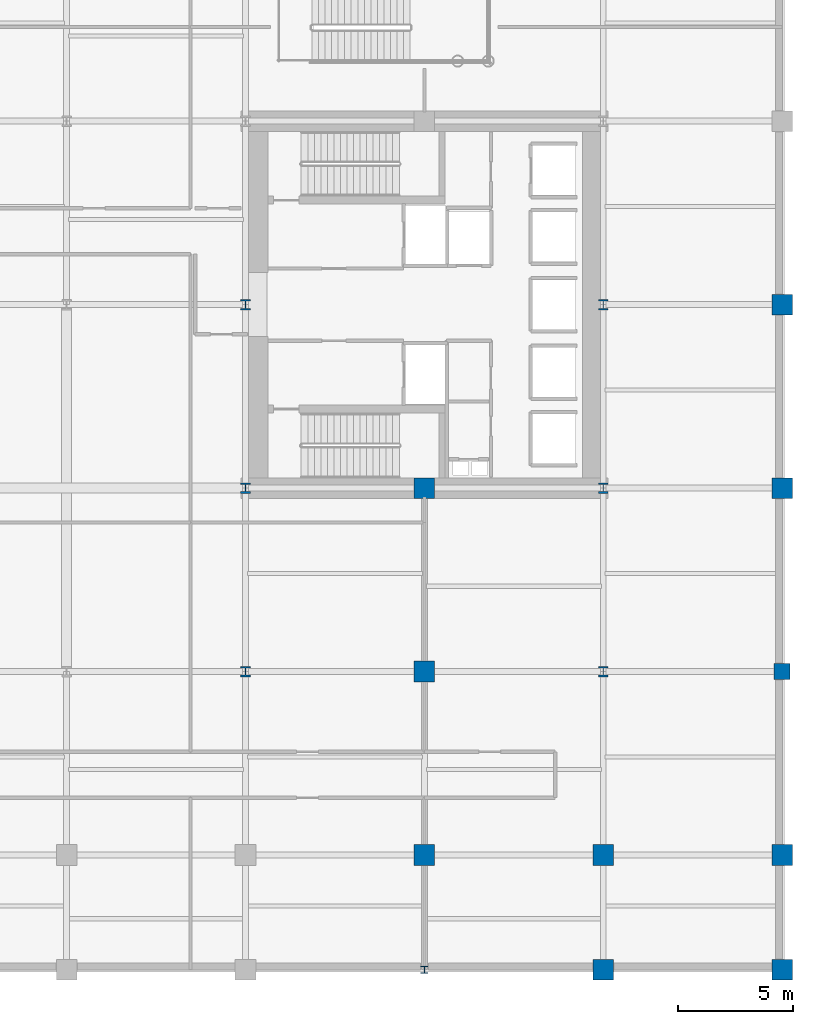
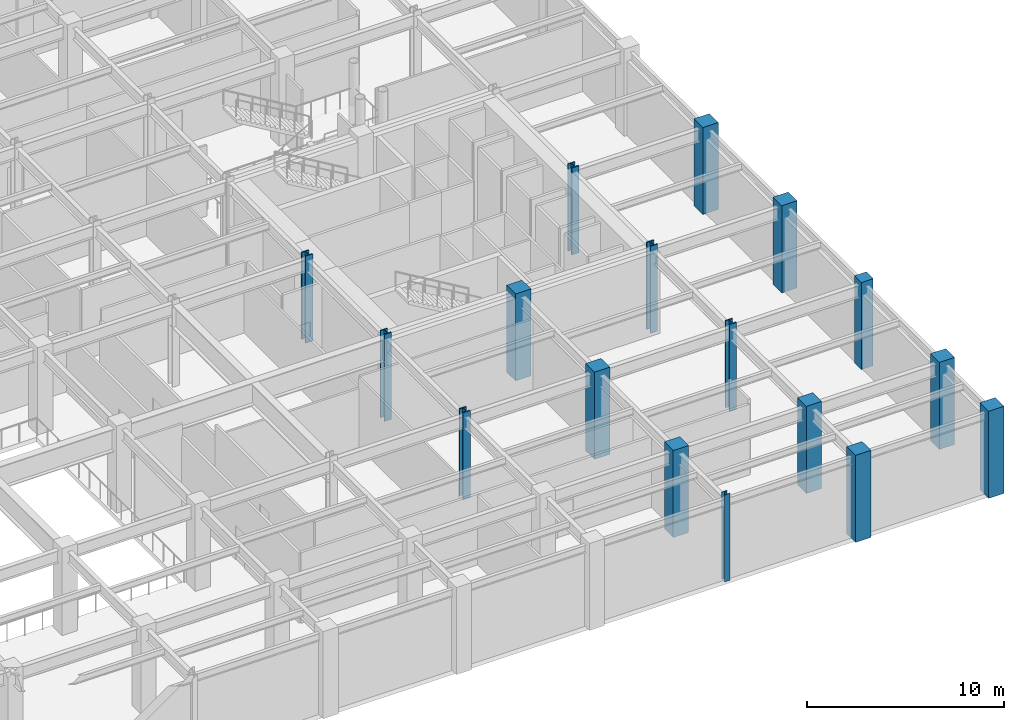
# One storey, part 3 of 13: 17 columns.
"""IFC4 building model written with IfcOpenShell, lengths in metres."""

from ifc_helpers import new_model, si_unit, direction, frame, origin, origin_2d, place, context, subcontext, project, spatial, rectangle, i_section, extrude, material, material_profile, profile_set, type_object, element, save


model = new_model("IFC4")

# Units and contexts
model_context = context("Model", 3, precision=1e-05, world=origin(), true_north=direction((0.0, 1.0)))
body_context = subcontext(model_context, "Body", "Model", "MODEL_VIEW")
ifc_project = project(units=[si_unit("LENGTHUNIT", "METRE"), si_unit("AREAUNIT", "SQUARE_METRE"), si_unit("VOLUMEUNIT", "CUBIC_METRE"), si_unit("PLANEANGLEUNIT", "RADIAN"), si_unit("MASSUNIT", "GRAM", prefix="KILO")], contexts=[model_context])

# Site, building, storey
site_placement = place(None, origin())
site = spatial("IfcSite", under=ifc_project, at=site_placement, CompositionType="ELEMENT")
building_placement = place(site_placement, origin())
building = spatial("IfcBuilding", under=site, at=building_placement, Name="Veymaron Broadcast Tower", CompositionType="ELEMENT")
storey_placement = place(building_placement, frame((0.0, 0.0, 21.60009765625)))
storey = spatial("IfcBuildingStorey", under=building, at=storey_placement, Name="L04", CompositionType="ELEMENT", Elevation=21.60009765625)

# Columns
ifc_material_1 = material(Name="Structural steel ASTM A913 Gr 65", Category="steel")
ifc_material_profile_1 = material_profile(ifc_material_1, i_section(OverallWidth=0.41796875, OverallDepth=0.455078125, WebThickness=0.0419921875, FlangeThickness=0.067626953125, at=origin_2d()), Name="W360X551")
ifc_profile_set_1 = profile_set([ifc_material_profile_1], Name="Structural steel ASTM A913 Gr 65")
column_type_1 = type_object("IfcColumnType", Name="COL-MC2", PredefinedType="COLUMN", material=ifc_profile_set_1)
for number, where, z_axis, x_axis, name in (
    (1, (39.0, 8.0, 0.0), (0.0, 0.0, 1.0), (1.0, 0.0, 0.0), "L04 column (39.0, 8.0)"),
    (2, (39.0, 16.0, 0.0), (0.0, 0.0, 1.0), (1.0, 0.0, 0.0), "L04 column (39.0, 16.0)"),
    (3, (39.0, 24.0, 0.0), (0.0, 0.0, 1.0), (1.0, 0.0, 0.0), "L04 column (39.0, 24.0)"),
    (4, (54.60009765625, 8.0, 0.0), (0.0, 0.0, 1.0), (1.0, 0.0, 0.0), "L04 column (54.6, 8.0)"),
    (5, (54.60009765625, 16.0, 0.0), (0.0, 0.0, 1.0), (1.0, 0.0, 0.0), "L04 column (54.6, 16.0)"),
    (6, (54.60009765625, 24.0, 0.0), (0.0, 0.0, 1.0), (1.0, 0.0, 0.0), "L04 column (54.6, 24.0)"),
):
    element("IfcColumn", number, at=place(storey_placement, frame(where, z_axis=z_axis, x_axis=x_axis)), inside=storey, type_object=column_type_1, Name=name, PredefinedType="COLUMN", context=body_context, shape_type="SweptSolid", body=[
        extrude(i_section(OverallWidth=0.41796875, OverallDepth=0.455078125, WebThickness=0.0419921875, FlangeThickness=0.067626953125, at=origin_2d()), origin(), (0.0, 0.0, 1.0), 5.39501953125),
    ])
ifc_material_2 = material(Name="Concrete C50/60", Category="concrete")
ifc_material_profile_2 = material_profile(ifc_material_2, rectangle(XDim=0.89990234375, YDim=0.89990234375, at=origin_2d()), Name="RC900X900")
ifc_profile_set_2 = profile_set([ifc_material_profile_2], Name="Concrete C50/60")
column_type_2 = type_object("IfcColumnType", Name="COL-RC4", PredefinedType="COLUMN", material=ifc_profile_set_2)
for number, where, z_axis, x_axis, name in (
    (7, (46.800048828125, 0.0, 0.0), (0.0, 0.0, 1.0), (1.0, 0.0, 0.0), "L04 column (46.8, 0.0)"),
    (8, (46.800048828125, 8.0, 0.0), (0.0, 0.0, 1.0), (1.0, 0.0, 0.0), "L04 column (46.8, 8.0)"),
    (9, (46.800048828125, 16.0, 0.0), (0.0, 0.0, 1.0), (1.0, 0.0, 0.0), "L04 column (46.8, 16.0)"),
    (10, (54.60009765625, -5.0, 0.0), (0.0, 0.0, 1.0), (1.0, 0.0, 0.0), "L04 column (54.6, -5.0)"),
    (11, (54.60009765625, 0.0, 0.0), (0.0, 0.0, 1.0), (1.0, 0.0, 0.0), "L04 column (54.6, 0.0)"),
    (12, (62.39990234375, -5.0, 0.0), (0.0, 0.0, 1.0), (1.0, 0.0, 0.0), "L04 column (62.4, -5.0)"),
    (13, (62.39990234375, 0.0, 0.0), (0.0, 0.0, 1.0), (1.0, 0.0, 0.0), "L04 column (62.4, 0.0)"),
    (14, (62.39990234375, 16.0, 0.0), (0.0, 0.0, 1.0), (1.0, 0.0, 0.0), "L04 column (62.4, 16.0)"),
    (15, (62.39990234375, 24.0, 0.0), (0.0, 0.0, 1.0), (1.0, 0.0, 0.0), "L04 column (62.4, 24.0)"),
):
    element("IfcColumn", number, at=place(storey_placement, frame(where, z_axis=z_axis, x_axis=x_axis)), inside=storey, type_object=column_type_2, Name=name, PredefinedType="COLUMN", context=body_context, shape_type="SweptSolid", body=[
        extrude(rectangle(XDim=0.89990234375, YDim=0.89990234375, at=origin_2d()), origin(), (0.0, 0.0, 1.0), 5.39501953125),
    ])
ifc_material_3 = material(Name="Concrete C40/50", Category="concrete")
ifc_material_profile_3 = material_profile(ifc_material_3, rectangle(XDim=0.699951171875, YDim=0.699951171875, at=origin_2d()), Name="RC700X700")
ifc_profile_set_3 = profile_set([ifc_material_profile_3], Name="Concrete C40/50")
column_type_3 = type_object("IfcColumnType", Name="COL-RC6", PredefinedType="PILASTER", material=ifc_profile_set_3)
column_1_placement = place(storey_placement, frame((62.39990234375, 8.0, 0.0), z_axis=(0.0, 0.0, 1.0), x_axis=(1.0, 0.0, 0.0)))
element("IfcColumn", 16, at=column_1_placement, inside=storey, type_object=column_type_3, Name="L04 column (62.4, 8.0)", PredefinedType="PILASTER", context=body_context, shape_type="SweptSolid", body=[
    extrude(rectangle(XDim=0.699951171875, YDim=0.699951171875, at=origin_2d()), origin(), (0.0, 0.0, 1.0), 5.39501953125),
])
ifc_material_4 = material(Name="Structural steel ASTM A992 Gr 50", Category="steel")
ifc_material_profile_4 = material_profile(ifc_material_4, i_section(OverallWidth=0.306884765625, OverallDepth=0.31396484375, WebThickness=0.010986328125, FlangeThickness=0.018798828125, at=origin_2d()), Name="W310X117")
ifc_profile_set_4 = profile_set([ifc_material_profile_4], Name="Structural steel ASTM A992 Gr 50")
column_type_4 = type_object("IfcColumnType", Name="COL-SC3", PredefinedType="COLUMN", material=ifc_profile_set_4)
column_2_placement = place(storey_placement, frame((46.800048828125, -5.0, 0.0), z_axis=(0.0, 0.0, 1.0), x_axis=(1.0, 0.0, 0.0)))
element("IfcColumn", 17, at=column_2_placement, inside=storey, type_object=column_type_4, Name="L04 column (46.8, -5.0)", PredefinedType="COLUMN", context=body_context, shape_type="SweptSolid", body=[
    extrude(i_section(OverallWidth=0.306884765625, OverallDepth=0.31396484375, WebThickness=0.010986328125, FlangeThickness=0.018798828125, at=origin_2d()), origin(), (0.0, 0.0, 1.0), 5.39501953125),
])

save(model, "model.ifc")
